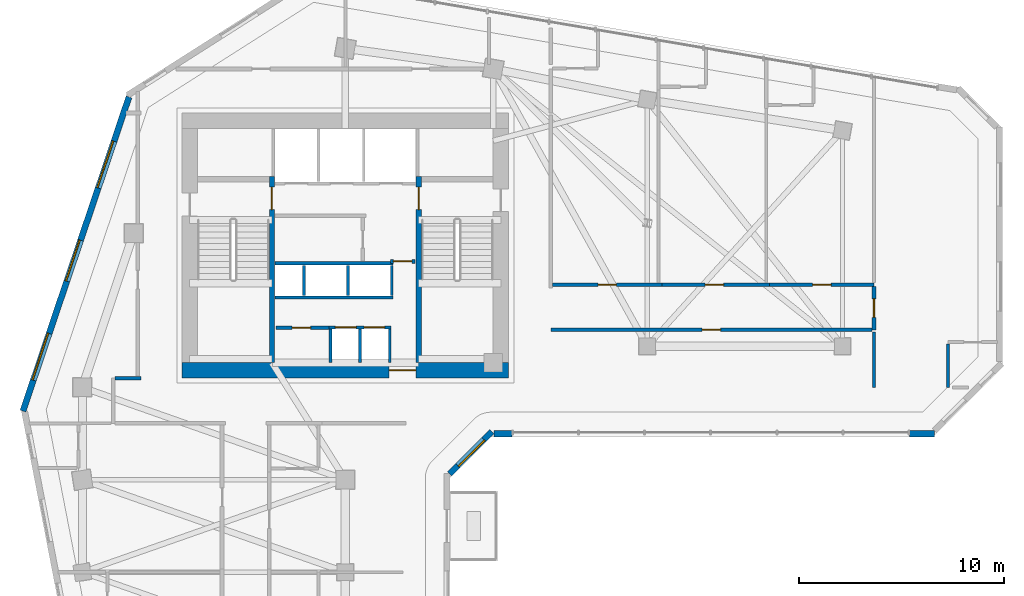
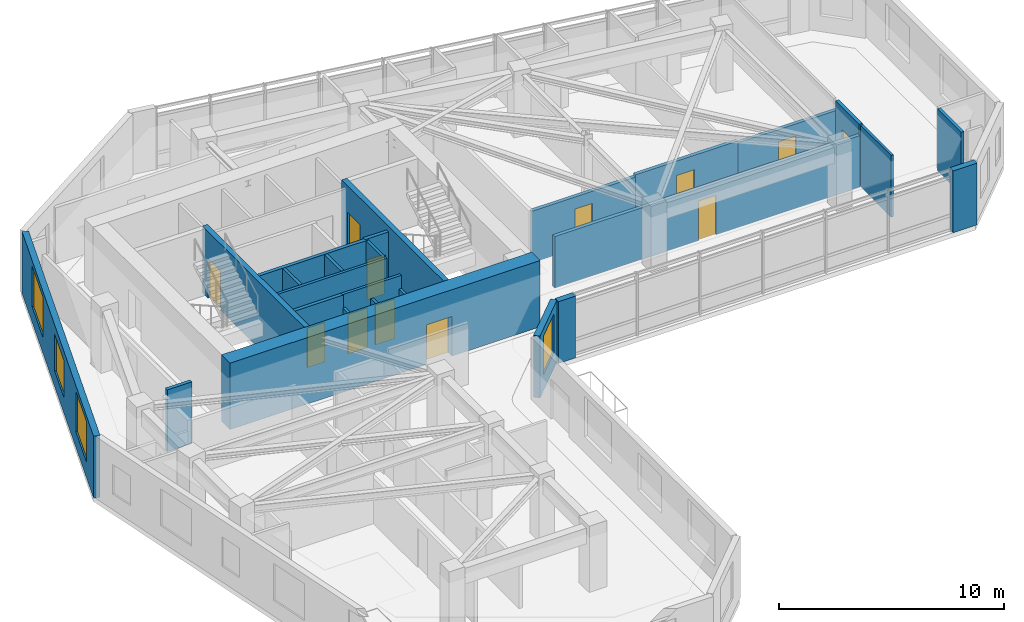
# One storey, part 5 of 10: 26 walls, 12 doors, 4 windows, 16 openings.
"""IFC4 building model written with IfcOpenShell, lengths in metres."""

from ifc_helpers import new_model, si_unit, direction, frame, frame_2d, origin, place, context, subcontext, project, spatial, rectangle, extrude, source, transform, mapped, material, layer, layer_set, type_object, element, fill, save


model = new_model("IFC4")

# Units and contexts
model_context = context("Model", 3, precision=1e-05, world=origin(), true_north=direction((0.0, 1.0)))
body_context = subcontext(model_context, "Body", "Model", "MODEL_VIEW")
ifc_project = project(units=[si_unit("LENGTHUNIT", "METRE"), si_unit("AREAUNIT", "SQUARE_METRE"), si_unit("VOLUMEUNIT", "CUBIC_METRE"), si_unit("PLANEANGLEUNIT", "RADIAN"), si_unit("MASSUNIT", "GRAM", prefix="KILO")], contexts=[model_context])

# Site, building, storey
site_placement = place(None, origin())
site = spatial("IfcSite", under=ifc_project, at=site_placement, CompositionType="ELEMENT")
building_placement = place(site_placement, origin())
building = spatial("IfcBuilding", under=site, at=building_placement, Name="Calvemar Wedge Station Tower", CompositionType="ELEMENT")
storey_placement = place(building_placement, frame((0.0, 0.0, 110.60009765625)))
storey = spatial("IfcBuildingStorey", under=building, at=storey_placement, Name="L26", CompositionType="ELEMENT", Elevation=110.60009765625)

# Wall, opening, door
ifc_material_1 = material(Name="Concrete C50", Category="concrete")
ifc_layer_1 = layer(ifc_material_1, 0.260009765625)
ifc_layer_set_1 = layer_set([ifc_layer_1], Name="Concrete C50")
wall_type_1 = type_object("IfcWallType", Name="SW-CORE-260", PredefinedType="SHEAR", material=ifc_layer_set_1)
wall_1_placement = place(storey_placement, frame((20.22998046875, 34.199951171875, 0.0), z_axis=(0.0, 0.0, 1.0), x_axis=(0.0, 1.0, 0.0)))
wall_1 = element("IfcWall", 1, at=wall_1_placement, inside=storey, type_object=wall_type_1, Name="Storey L26 Core Shear Wall SPINE-W", PredefinedType="SHEAR", context=body_context, shape_type="SweptSolid", body=[
    extrude(rectangle(XDim=9.06005859375, YDim=0.260009765625, at=frame_2d((4.530029296875, 0.0))), origin(), (0.0, 0.0, 1.0), 3.599853515625),
])
shared_shape_1 = source(origin(), body_context, "Body", "SweptSolid", [
    extrude(rectangle(XDim=1.10009765625, YDim=2.14990234375, at=frame_2d((0.550048828125, 1.074951171875))), frame((0.0, 0.14013671875, 0.0), z_axis=(0.0, -1.0, 0.0), x_axis=(1.0, 0.0, 0.0)), (0.0, 0.0, 1.0), 0.280029296875),
])
opening_1_placement = place(wall_1_placement, frame((7.449951171875, 0.0, 0.0)))
opening_1 = element("IfcOpeningElement", 2, at=opening_1_placement, cuts=wall_1, Name="Opening FD-90", PredefinedType="OPENING", context=body_context, shape_type="MappedRepresentation", body=[
    mapped(shared_shape_1, transform((0.0, 0.0, 0.0), scale=1.0)),
])
ifc_material_2 = material(Name="Galvanized fire-rated steel door leaf P-90", Category="steel")
door_type_1 = type_object("IfcDoorType", Name="DR-FD90-1100", OperationType="NOTDEFINED", PredefinedType="DOOR", material=ifc_material_2)
shared_shape_2 = source(origin(), body_context, "Body", "SweptSolid", [
    extrude(rectangle(XDim=1.10009765625, YDim=2.14990234375, at=frame_2d((0.550048828125, 1.074951171875))), frame((0.0, 0.02490234375, 0.0), z_axis=(0.0, -1.0, 0.0), x_axis=(1.0, 0.0, 0.0)), (0.0, 0.0, 1.0), 0.050048828125),
])
door_1_placement = place(opening_1_placement, origin())
door_1 = element("IfcDoor", 3, at=door_1_placement, inside=storey, type_object=door_type_1, Name="L26 FF Lobby to Stair ST-C1 Door", OperationType="SINGLE_SWING_LEFT", OverallHeight=2.14990234375, OverallWidth=1.10009765625, PredefinedType="DOOR", context=body_context, shape_type="MappedRepresentation", body=[
    mapped(shared_shape_2, transform((0.0, 0.0, 0.0), scale=1.0)),
])
fill(opening_1, door_1)

wall_2_placement = place(storey_placement, frame((27.3701171875, 34.199951171875, 0.0), z_axis=(0.0, 0.0, 1.0), x_axis=(0.0, 1.0, 0.0)))
wall_2 = element("IfcWall", 4, at=wall_2_placement, inside=storey, type_object=wall_type_1, Name="Storey L26 Core Shear Wall SPINE-E", PredefinedType="SHEAR", context=body_context, shape_type="SweptSolid", body=[
    extrude(rectangle(XDim=9.06005859375, YDim=0.260009765625, at=frame_2d((4.530029296875, 0.0))), origin(), (0.0, 0.0, 1.0), 3.599853515625),
])
opening_2_placement = place(wall_2_placement, frame((7.449951171875, 0.0, 0.0)))
opening_2 = element("IfcOpeningElement", 5, at=opening_2_placement, cuts=wall_2, Name="Opening FD-90", PredefinedType="OPENING", context=body_context, shape_type="MappedRepresentation", body=[
    mapped(shared_shape_1, transform((0.0, 0.0, 0.0), scale=1.0)),
])
door_2_placement = place(opening_2_placement, origin())
door_2 = element("IfcDoor", 6, at=door_2_placement, inside=storey, type_object=door_type_1, Name="L26 FF Lobby to Stair ST-C2 Door", OperationType="SINGLE_SWING_RIGHT", OverallHeight=2.14990234375, OverallWidth=1.10009765625, PredefinedType="DOOR", context=body_context, shape_type="MappedRepresentation", body=[
    mapped(shared_shape_2, transform((0.0, 0.0, 0.0), scale=1.0)),
])
fill(opening_2, door_2)

ifc_material_3 = material(Name="Concrete C70", Category="concrete")
ifc_layer_2 = layer(ifc_material_3, 0.75)
ifc_layer_set_2 = layer_set([ifc_layer_2], Name="Concrete C70")
wall_type_2 = type_object("IfcWallType", Name="SW-CORE-750", PredefinedType="SHEAR", material=ifc_layer_set_2)
wall_3_placement = place(storey_placement, frame((15.85009765625, 33.824951171875, 0.0), z_axis=(0.0, 0.0, 1.0), x_axis=(1.0, 0.0, 0.0)))
wall_3 = element("IfcWall", 7, at=wall_3_placement, inside=storey, type_object=wall_type_2, Name="Storey L26 Core Shear Wall S", PredefinedType="SHEAR", context=body_context, shape_type="SweptSolid", body=[
    extrude(rectangle(XDim=15.89990234375, YDim=0.75, at=frame_2d((7.949951171875, 0.0))), origin(), (0.0, 0.0, 1.0), 3.599853515625),
])
shared_shape_3 = source(origin(), body_context, "Body", "SweptSolid", [
    extrude(rectangle(XDim=1.300048828125, YDim=2.14990234375, at=frame_2d((0.64990234375, 1.074951171875))), frame((0.0, 0.385009765625, 0.0), z_axis=(0.0, -1.0, 0.0), x_axis=(1.0, 0.0, 0.0)), (0.0, 0.0, 1.0), 0.77001953125),
])
opening_3_placement = place(wall_3_placement, frame((10.080078125, 0.0, 0.0)))
opening_3 = element("IfcOpeningElement", 8, at=opening_3_placement, cuts=wall_3, Name="Opening DD-130", PredefinedType="OPENING", context=body_context, shape_type="MappedRepresentation", body=[
    mapped(shared_shape_3, transform((0.0, 0.0, 0.0), scale=1.0)),
])
ifc_material_4 = material(Name="Double-leaf lift lobby fire door EI 60")
door_type_2 = type_object("IfcDoorType", Name="DR-DBL-1300", OperationType="DOUBLE_DOOR_SINGLE_SWING", PredefinedType="DOOR", material=ifc_material_4)
shared_shape_4 = source(origin(), body_context, "Body", "SweptSolid", [
    extrude(rectangle(XDim=1.300048828125, YDim=2.14990234375, at=frame_2d((0.64990234375, 1.074951171875))), frame((0.0, 0.02490234375, 0.0), z_axis=(0.0, -1.0, 0.0), x_axis=(1.0, 0.0, 0.0)), (0.0, 0.0, 1.0), 0.050048828125),
])
door_3_placement = place(opening_3_placement, origin())
door_3 = element("IfcDoor", 9, at=door_3_placement, inside=storey, type_object=door_type_2, Name="L26 Passenger Lift Lobby Door", OperationType="DOUBLE_DOOR_SINGLE_SWING", OverallHeight=2.14990234375, OverallWidth=1.300048828125, PredefinedType="DOOR", context=body_context, shape_type="MappedRepresentation", body=[
    mapped(shared_shape_4, transform((0.0, 0.0, 0.0), scale=1.0)),
])
fill(opening_3, door_3)

ifc_material_5 = material(Name="Double-stud fire-rated corridor partition")
ifc_layer_3 = layer(ifc_material_5, 0.179931640625)
ifc_layer_set_3 = layer_set([ifc_layer_3], Name="Double-stud fire-rated corridor partition")
wall_type_3 = type_object("IfcWallType", Name="W-CORR-180", PredefinedType="PARTITIONING", material=ifc_layer_set_3)
wall_4_placement = place(storey_placement, frame((27.199951171875, 39.1298828125, 0.0), z_axis=(0.0, 0.0, 1.0), x_axis=(-1.0, 0.0, 0.0)))
wall_4 = element("IfcWall", 10, at=wall_4_placement, inside=storey, type_object=wall_type_3, Name="Storey L26 Interior Partition WL-L26-003", PredefinedType="PARTITIONING", context=body_context, shape_type="SweptSolid", body=[
    extrude(rectangle(XDim=1.2099609375, YDim=0.179931640625, at=frame_2d((0.60498046875, 0.0))), origin(), (0.0, 0.0, 1.0), 3.349853515625),
])
shared_shape_5 = source(origin(), body_context, "Body", "SweptSolid", [
    extrude(rectangle(XDim=0.89990234375, YDim=2.14990234375, at=frame_2d((0.449951171875, 1.074951171875))), frame((0.0, 0.10009765625, 0.0), z_axis=(0.0, -1.0, 0.0), x_axis=(1.0, 0.0, 0.0)), (0.0, 0.0, 1.0), 0.199951171875),
])
opening_4_placement = place(wall_4_placement, frame((0.155029296875, 0.0, 0.0)))
opening_4 = element("IfcOpeningElement", 11, at=opening_4_placement, cuts=wall_4, Name="Opening FD-60", PredefinedType="OPENING", context=body_context, shape_type="MappedRepresentation", body=[
    mapped(shared_shape_5, transform((0.0, 0.0, 0.0), scale=1.0)),
])
ifc_material_6 = material(Name="Fire-rated acoustic timber-core entrance door EI 60", Category="wood")
door_type_3 = type_object("IfcDoorType", Name="DR-FD60-900", OperationType="NOTDEFINED", PredefinedType="DOOR", material=ifc_material_6)
shared_shape_6 = source(origin(), body_context, "Body", "SweptSolid", [
    extrude(rectangle(XDim=0.89990234375, YDim=2.14990234375, at=frame_2d((0.449951171875, 1.074951171875))), frame((0.0, 0.02490234375, 0.0), z_axis=(0.0, -1.0, 0.0), x_axis=(1.0, 0.0, 0.0)), (0.0, 0.0, 1.0), 0.050048828125),
])
door_4_placement = place(opening_4_placement, origin())
door_4 = element("IfcDoor", 12, at=door_4_placement, inside=storey, type_object=door_type_3, Name="L26 Core Service Lobby Door", OperationType="SINGLE_SWING_RIGHT", OverallHeight=2.14990234375, OverallWidth=0.89990234375, PredefinedType="DOOR", context=body_context, shape_type="MappedRepresentation", body=[
    mapped(shared_shape_6, transform((0.0, 0.0, 0.0), scale=1.0)),
])
fill(opening_4, door_4)

wall_5_placement = place(storey_placement, frame((20.419921875, 35.89990234375, 0.0), z_axis=(0.0, 0.0, 1.0), x_axis=(1.0, 0.0, 0.0)))
wall_5 = element("IfcWall", 13, at=wall_5_placement, inside=storey, type_object=wall_type_3, Name="Storey L26 Interior Partition WL-L26-004", PredefinedType="PARTITIONING", context=body_context, shape_type="SweptSolid", body=[
    extrude(rectangle(XDim=2.6201171875, YDim=0.179931640625, at=frame_2d((1.31005859375, 0.0))), origin(), (0.0, 0.0, 1.0), 3.349853515625),
])
opening_5_placement = place(wall_5_placement, frame((0.795654296875, 0.0, 0.0)))
opening_5 = element("IfcOpeningElement", 14, at=opening_5_placement, cuts=wall_5, Name="Opening FD-60", PredefinedType="OPENING", context=body_context, shape_type="MappedRepresentation", body=[
    mapped(shared_shape_5, transform((0.0, 0.0, 0.0), scale=1.0)),
])
door_5_placement = place(opening_5_placement, origin())
door_5 = element("IfcDoor", 15, at=door_5_placement, inside=storey, type_object=door_type_3, Name="L26 Housekeeping Store Door", OperationType="SINGLE_SWING_LEFT", OverallHeight=2.14990234375, OverallWidth=0.89990234375, PredefinedType="DOOR", context=body_context, shape_type="MappedRepresentation", body=[
    mapped(shared_shape_6, transform((0.0, 0.0, 0.0), scale=1.0)),
])
fill(opening_5, door_5)

# Wall
wall_6_placement = place(storey_placement, frame((12.593994140625, 33.449951171875, 0.0), z_axis=(0.0, 0.0, 1.0), x_axis=(1.0, 0.0, 0.0)))
element("IfcWall", 16, at=wall_6_placement, inside=storey, type_object=wall_type_3, Name="Storey L26 Interior Partition WL-L26-006", PredefinedType="PARTITIONING", context=body_context, shape_type="SweptSolid", body=[
    extrude(rectangle(XDim=1.26611328125, YDim=0.179931640625, at=frame_2d((0.633056640625, 0.0))), origin(), (0.0, 0.0, 1.0), 3.349853515625),
])

# Wall, opening, door
wall_7_placement = place(storey_placement, frame((33.89404296875, 38.0, 0.0), z_axis=(0.0, 0.0, 1.0), x_axis=(1.0, 0.0, 0.0)))
wall_7 = element("IfcWall", 17, at=wall_7_placement, inside=storey, type_object=wall_type_3, Name="Storey L26 Interior Partition WL-L26-019", PredefinedType="PARTITIONING", context=body_context, shape_type="SweptSolid", body=[
    extrude(rectangle(XDim=5.31103515625, YDim=0.179931640625, at=frame_2d((2.655517578125, 0.0))), origin(), (0.0, 0.0, 1.0), 2.802978515625),
])
opening_6_placement = place(wall_7_placement, frame((2.20556640625, 0.0, 0.0)))
opening_6 = element("IfcOpeningElement", 18, at=opening_6_placement, cuts=wall_7, Name="Opening FD-60", PredefinedType="OPENING", context=body_context, shape_type="MappedRepresentation", body=[
    mapped(shared_shape_5, transform((0.0, 0.0, 0.0), scale=1.0)),
])
door_6_placement = place(opening_6_placement, origin())
door_6 = element("IfcDoor", 19, at=door_6_placement, inside=storey, type_object=door_type_3, Name="L26 Hotel Guest Room Door", OperationType="SINGLE_SWING_RIGHT", OverallHeight=2.14990234375, OverallWidth=0.89990234375, PredefinedType="DOOR", context=body_context, shape_type="MappedRepresentation", body=[
    mapped(shared_shape_6, transform((0.0, 0.0, 0.0), scale=1.0)),
])
fill(opening_6, door_6)

wall_8_placement = place(storey_placement, frame((39.20703125, 38.0, 0.0), z_axis=(0.0, 0.0, 1.0), x_axis=(1.0, 0.0, 0.0)))
wall_8 = element("IfcWall", 20, at=wall_8_placement, inside=storey, type_object=wall_type_3, Name="Storey L26 Interior Partition WL-L26-020", PredefinedType="PARTITIONING", context=body_context, shape_type="SweptSolid", body=[
    extrude(rectangle(XDim=5.242919921875, YDim=0.179931640625, at=frame_2d((2.62158203125, 0.0))), origin(), (0.0, 0.0, 1.0), 2.921875),
])
opening_7_placement = place(wall_8_placement, frame((2.110595703125, 0.0, 0.0)))
opening_7 = element("IfcOpeningElement", 21, at=opening_7_placement, cuts=wall_8, Name="Opening FD-60", PredefinedType="OPENING", context=body_context, shape_type="MappedRepresentation", body=[
    mapped(shared_shape_5, transform((0.0, 0.0, 0.0), scale=1.0)),
])
door_7_placement = place(opening_7_placement, origin())
door_7 = element("IfcDoor", 22, at=door_7_placement, inside=storey, type_object=door_type_3, Name="L26 Hotel Guest Room Door", OperationType="SINGLE_SWING_RIGHT", OverallHeight=2.14990234375, OverallWidth=0.89990234375, PredefinedType="DOOR", context=body_context, shape_type="MappedRepresentation", body=[
    mapped(shared_shape_6, transform((0.0, 0.0, 0.0), scale=1.0)),
])
fill(opening_7, door_7)

wall_9_placement = place(storey_placement, frame((44.451904296875, 38.0, 0.0), z_axis=(0.0, 0.0, 1.0), x_axis=(1.0, 0.0, 0.0)))
wall_9 = element("IfcWall", 23, at=wall_9_placement, inside=storey, type_object=wall_type_3, Name="Storey L26 Interior Partition WL-L26-021", PredefinedType="PARTITIONING", context=body_context, shape_type="SweptSolid", body=[
    extrude(rectangle(XDim=5.0830078125, YDim=0.179931640625, at=frame_2d((2.54150390625, 0.0))), origin(), (0.0, 0.0, 1.0), 2.802978515625),
])
opening_8_placement = place(wall_9_placement, frame((2.091552734375, 0.0, 0.0)))
opening_8 = element("IfcOpeningElement", 24, at=opening_8_placement, cuts=wall_9, Name="Opening FD-60", PredefinedType="OPENING", context=body_context, shape_type="MappedRepresentation", body=[
    mapped(shared_shape_5, transform((0.0, 0.0, 0.0), scale=1.0)),
])
door_8_placement = place(opening_8_placement, origin())
door_8 = element("IfcDoor", 25, at=door_8_placement, inside=storey, type_object=door_type_3, Name="L26 Hotel Guest Room Door", OperationType="SINGLE_SWING_RIGHT", OverallHeight=2.14990234375, OverallWidth=0.89990234375, PredefinedType="DOOR", context=body_context, shape_type="MappedRepresentation", body=[
    mapped(shared_shape_6, transform((0.0, 0.0, 0.0), scale=1.0)),
])
fill(opening_8, door_8)

wall_10_placement = place(storey_placement, frame((49.534912109375, 37.906005859375, 0.0), z_axis=(0.0, 0.0, 1.0), x_axis=(0.0, -1.0, 0.0)))
wall_10 = element("IfcWall", 26, at=wall_10_placement, inside=storey, type_object=wall_type_3, Name="Storey L26 Interior Partition WL-L26-022", PredefinedType="PARTITIONING", context=body_context, shape_type="SweptSolid", body=[
    extrude(rectangle(XDim=2.10595703125, YDim=0.179931640625, at=frame_2d((1.052978515625, 0.0))), origin(), (0.0, 0.0, 1.0), 3.349853515625),
])
opening_9_placement = place(wall_10_placement, frame((0.60302734375, 0.0, 0.0)))
opening_9 = element("IfcOpeningElement", 27, at=opening_9_placement, cuts=wall_10, Name="Opening FD-60", PredefinedType="OPENING", context=body_context, shape_type="MappedRepresentation", body=[
    mapped(shared_shape_5, transform((0.0, 0.0, 0.0), scale=1.0)),
])
door_9_placement = place(opening_9_placement, origin())
door_9 = element("IfcDoor", 28, at=door_9_placement, inside=storey, type_object=door_type_3, Name="L26 Hotel Suite Door", OperationType="SINGLE_SWING_RIGHT", OverallHeight=2.14990234375, OverallWidth=0.89990234375, PredefinedType="DOOR", context=body_context, shape_type="MappedRepresentation", body=[
    mapped(shared_shape_6, transform((0.0, 0.0, 0.0), scale=1.0)),
])
fill(opening_9, door_9)

wall_11_placement = place(storey_placement, frame((49.44091796875, 35.800048828125, 0.0), z_axis=(0.0, 0.0, 1.0), x_axis=(-1.0, 0.0, 0.0)))
wall_11 = element("IfcWall", 29, at=wall_11_placement, inside=storey, type_object=wall_type_3, Name="Storey L26 Interior Partition WL-L26-023", PredefinedType="PARTITIONING", context=body_context, shape_type="SweptSolid", body=[
    extrude(rectangle(XDim=15.640869140625, YDim=0.179931640625, at=frame_2d((7.8203125, 0.0))), origin(), (0.0, 0.0, 1.0), 2.802978515625),
])
opening_10_placement = place(wall_11_placement, frame((7.37060546875, 0.0, 0.0)))
opening_10 = element("IfcOpeningElement", 30, at=opening_10_placement, cuts=wall_11, Name="Opening D-01", PredefinedType="OPENING", context=body_context, shape_type="MappedRepresentation", body=[
    mapped(shared_shape_5, transform((0.0, 0.0, 0.0), scale=1.0)),
])
ifc_material_7 = material(Name="Architectural hardwood acoustic swing door", Category="wood")
door_type_4 = type_object("IfcDoorType", Name="DR-INT-900", OperationType="NOTDEFINED", PredefinedType="DOOR", material=ifc_material_7)
shared_shape_7 = source(origin(), body_context, "Body", "SweptSolid", [
    extrude(rectangle(XDim=0.89990234375, YDim=2.14990234375, at=frame_2d((0.449951171875, 1.074951171875))), frame((0.0, 0.02490234375, 0.0), z_axis=(0.0, -1.0, 0.0), x_axis=(1.0, 0.0, 0.0)), (0.0, 0.0, 1.0), 0.050048828125),
])
door_10_placement = place(opening_10_placement, origin())
door_10 = element("IfcDoor", 31, at=door_10_placement, inside=storey, type_object=door_type_4, Name="L26 Club Lounge Door", OperationType="SINGLE_SWING_LEFT", OverallHeight=2.14990234375, OverallWidth=0.89990234375, PredefinedType="DOOR", context=body_context, shape_type="MappedRepresentation", body=[
    mapped(shared_shape_7, transform((0.0, 0.0, 0.0), scale=1.0)),
])
fill(opening_10, door_10)

# Wall, opening, window
ifc_material_8 = material(Name="Precast concrete C45", Category="concrete")
ifc_layer_4 = layer(ifc_material_8, 0.300048828125)
ifc_layer_set_4 = layer_set([ifc_layer_4], Name="Precast concrete C45")
wall_type_4 = type_object("IfcWallType", Name="W-EXT-GFRC-300", PredefinedType="SOLIDWALL", material=ifc_layer_set_4)
wall_12_placement = place(storey_placement, frame((28.884033203125, 28.7919921875, 0.0), z_axis=(0.0, 0.0, 1.0), x_axis=(0.707064797706, 0.707148762175, 0.0)))
wall_12 = element("IfcWall", 32, at=wall_12_placement, inside=storey, type_object=wall_type_4, Name="Storey L26 Bronze GFRC Exterior Wall 5", PredefinedType="SOLIDWALL", context=body_context, shape_type="SweptSolid", body=[
    extrude(rectangle(XDim=2.90771484375, YDim=0.300048828125, at=frame_2d((1.453857421875, 0.0))), origin(), (0.0, 0.0, 1.0), 3.349853515625),
])
shared_shape_8 = source(origin(), body_context, "Body", "SweptSolid", [
    extrude(rectangle(XDim=1.800048828125, YDim=2.10009765625, at=frame_2d((0.89990234375, 1.050048828125))), frame((0.0, 0.16015625, 0.0), z_axis=(0.0, -1.0, 0.0), x_axis=(1.0, 0.0, 0.0)), (0.0, 0.0, 1.0), 0.320068359375),
])
opening_11_placement = place(wall_12_placement, frame((0.553955078125, 0.0, 0.85009765625)))
opening_11 = element("IfcOpeningElement", 33, at=opening_11_placement, cuts=wall_12, Name="Opening W2", PredefinedType="OPENING", context=body_context, shape_type="MappedRepresentation", body=[
    mapped(shared_shape_8, transform((0.0, 0.0, 0.0), scale=1.0)),
])
ifc_material_9 = material(Name="Low-E laminated insulated glass", Category="glass")
window_type_1 = type_object("IfcWindowType", Name="WIN-EXT-2", PartitioningType="SINGLE_PANEL", PredefinedType="WINDOW", material=ifc_material_9)
shared_shape_9 = source(origin(), body_context, "Body", "SweptSolid", [
    extrude(rectangle(XDim=1.800048828125, YDim=2.10009765625, at=frame_2d((0.89990234375, 1.050048828125))), frame((0.0, -0.014892578125, 0.0), z_axis=(0.0, -1.0, 0.0), x_axis=(1.0, 0.0, 0.0)), (0.0, 0.0, 1.0), 0.06005859375),
])
window_1_placement = place(opening_11_placement, origin())
window_1 = element("IfcWindow", 34, at=window_1_placement, inside=storey, type_object=window_type_1, Name="Storey L26 Recessed Window 5.1", OverallHeight=2.10009765625, OverallWidth=1.800048828125, PartitioningType="SINGLE_PANEL", PredefinedType="WINDOW", context=body_context, shape_type="MappedRepresentation", body=[
    mapped(shared_shape_9, transform((0.0, 0.0, 0.0), scale=1.0)),
])
fill(opening_11, window_1)

# Walls
wall_13_placement = place(storey_placement, frame((31.029052734375, 30.741943359375, 0.0), z_axis=(0.0, 0.0, 1.0), x_axis=(1.0, 0.0, 0.0)))
element("IfcWall", 35, at=wall_13_placement, inside=storey, type_object=wall_type_4, Name="Storey L26 Bronze GFRC Corner Pier 6A", PredefinedType="SOLIDWALL", context=body_context, shape_type="SweptSolid", body=[
    extrude(rectangle(XDim=0.88232421875, YDim=0.300048828125, at=frame_2d((0.441162109375, 0.0))), origin(), (0.0, 0.0, 1.0), 3.349853515625),
])
wall_14_placement = place(storey_placement, frame((51.260498046875, 30.741943359375, 0.0), z_axis=(0.0, 0.0, 1.0), x_axis=(1.0, 0.0, 0.0)))
element("IfcWall", 36, at=wall_14_placement, inside=storey, type_object=wall_type_4, Name="Storey L26 Bronze GFRC Corner Pier 6B", PredefinedType="SOLIDWALL", context=body_context, shape_type="SweptSolid", body=[
    extrude(rectangle(XDim=1.227294921875, YDim=0.300048828125, at=frame_2d((0.61376953125, 0.0))), origin(), (0.0, 0.0, 1.0), 3.349853515625),
])

# Wall, openings, windows
wall_15_placement = place(storey_placement, frame((13.2685546875, 47.1337890625, 0.0), z_axis=(0.0, 0.0, 1.0), x_axis=(-0.319929596295, -0.947441319246, 0.0)))
wall_15 = element("IfcWall", 37, at=wall_15_placement, inside=storey, type_object=wall_type_4, Name="Storey L26 Bronze GFRC Exterior Wall 12", PredefinedType="SOLIDWALL", context=body_context, shape_type="SweptSolid", body=[
    extrude(rectangle(XDim=16.13427734375, YDim=0.300048828125, at=frame_2d((8.067138671875, 0.0))), origin(), (0.0, 0.0, 1.0), 3.349853515625),
])
shared_shape_10 = source(origin(), body_context, "Body", "SweptSolid", [
    extrude(rectangle(XDim=2.39990234375, YDim=2.199951171875, at=frame_2d((1.199951171875, 1.10009765625))), frame((0.0, 0.16015625, 0.0), z_axis=(0.0, -1.0, 0.0), x_axis=(1.0, 0.0, 0.0)), (0.0, 0.0, 1.0), 0.320068359375),
])
opening_12_placement = place(wall_15_placement, frame((2.27587890625, 0.0, 0.85009765625)))
opening_12 = element("IfcOpeningElement", 38, at=opening_12_placement, cuts=wall_15, Name="Opening W1", PredefinedType="OPENING", context=body_context, shape_type="MappedRepresentation", body=[
    mapped(shared_shape_10, transform((0.0, 0.0, 0.0), scale=1.0)),
])
shared_shape_11 = source(origin(), body_context, "Body", "SweptSolid", [
    extrude(rectangle(XDim=2.10009765625, YDim=2.0, at=frame_2d((1.050048828125, 1.0))), frame((0.0, 0.16015625, 0.0), z_axis=(0.0, -1.0, 0.0), x_axis=(1.0, 0.0, 0.0)), (0.0, 0.0, 1.0), 0.320068359375),
])
opening_13_placement = place(wall_15_placement, frame((7.361083984375, 0.0, 0.85009765625)))
opening_13 = element("IfcOpeningElement", 39, at=opening_13_placement, cuts=wall_15, Name="Opening W4", PredefinedType="OPENING", context=body_context, shape_type="MappedRepresentation", body=[
    mapped(shared_shape_11, transform((0.0, 0.0, 0.0), scale=1.0)),
])
opening_14_placement = place(wall_15_placement, frame((12.14697265625, 0.0, 0.85009765625)))
opening_14 = element("IfcOpeningElement", 40, at=opening_14_placement, cuts=wall_15, Name="Opening W1", PredefinedType="OPENING", context=body_context, shape_type="MappedRepresentation", body=[
    mapped(shared_shape_10, transform((0.0, 0.0, 0.0), scale=1.0)),
])
window_type_2 = type_object("IfcWindowType", Name="WIN-EXT-4", PartitioningType="SINGLE_PANEL", PredefinedType="WINDOW", material=ifc_material_9)
shared_shape_12 = source(origin(), body_context, "Body", "SweptSolid", [
    extrude(rectangle(XDim=2.10009765625, YDim=2.0, at=frame_2d((1.050048828125, 1.0))), frame((0.0, -0.014892578125, 0.0), z_axis=(0.0, -1.0, 0.0), x_axis=(1.0, 0.0, 0.0)), (0.0, 0.0, 1.0), 0.06005859375),
])
window_2_placement = place(opening_13_placement, origin())
window_2 = element("IfcWindow", 41, at=window_2_placement, inside=storey, type_object=window_type_2, Name="Storey L26 Recessed Window 12.2", OverallHeight=2.0, OverallWidth=2.10009765625, PartitioningType="SINGLE_PANEL", PredefinedType="WINDOW", context=body_context, shape_type="MappedRepresentation", body=[
    mapped(shared_shape_12, transform((0.0, 0.0, 0.0), scale=1.0)),
])
fill(opening_13, window_2)
window_type_3 = type_object("IfcWindowType", Name="WIN-EXT-1", PartitioningType="SINGLE_PANEL", PredefinedType="WINDOW", material=ifc_material_9)
shared_shape_13 = source(origin(), body_context, "Body", "SweptSolid", [
    extrude(rectangle(XDim=2.39990234375, YDim=2.199951171875, at=frame_2d((1.199951171875, 1.10009765625))), frame((0.0, -0.014892578125, 0.0), z_axis=(0.0, -1.0, 0.0), x_axis=(1.0, 0.0, 0.0)), (0.0, 0.0, 1.0), 0.06005859375),
])
window_3_placement = place(opening_12_placement, origin())
window_3 = element("IfcWindow", 42, at=window_3_placement, inside=storey, type_object=window_type_3, Name="Storey L26 Recessed Window 12.1", OverallHeight=2.199951171875, OverallWidth=2.39990234375, PartitioningType="SINGLE_PANEL", PredefinedType="WINDOW", context=body_context, shape_type="MappedRepresentation", body=[
    mapped(shared_shape_13, transform((0.0, 0.0, 0.0), scale=1.0)),
])
fill(opening_12, window_3)
window_4_placement = place(opening_14_placement, origin())
window_4 = element("IfcWindow", 43, at=window_4_placement, inside=storey, type_object=window_type_3, Name="Storey L26 Recessed Window 12.3", OverallHeight=2.199951171875, OverallWidth=2.39990234375, PartitioningType="SINGLE_PANEL", PredefinedType="WINDOW", context=body_context, shape_type="MappedRepresentation", body=[
    mapped(shared_shape_13, transform((0.0, 0.0, 0.0), scale=1.0)),
])
fill(opening_14, window_4)

# Wall, openings, doors
ifc_material_10 = material(Name="Reinforced concrete blockwork lift shaft wall", Category="masonry")
ifc_layer_5 = layer(ifc_material_10, 0.139892578125)
ifc_layer_set_5 = layer_set([ifc_layer_5], Name="Reinforced concrete blockwork lift shaft wall")
wall_type_5 = type_object("IfcWallType", Name="W-LIFT-160", PredefinedType="SOLIDWALL", material=ifc_layer_set_5)
wall_16_placement = place(storey_placement, frame((23.0, 35.919921875, 0.0), z_axis=(0.0, 0.0, 1.0), x_axis=(1.0, 0.0, 0.0)))
wall_16 = element("IfcWall", 44, at=wall_16_placement, inside=storey, type_object=wall_type_5, Name="Storey L26 South Passenger Lift Bank Front Wall", PredefinedType="SOLIDWALL", context=body_context, shape_type="SweptSolid", body=[
    extrude(rectangle(XDim=3.030029296875, YDim=0.139892578125, at=frame_2d((1.51513671875, 0.0))), origin(), (0.0, 0.0, 1.0), 3.349853515625),
])
shared_shape_14 = source(origin(), body_context, "Body", "SweptSolid", [
    extrude(rectangle(XDim=1.0, YDim=2.14990234375, at=frame_2d((0.5, 1.074951171875))), frame((0.0, 0.080078125, 0.0), z_axis=(0.0, -1.0, 0.0), x_axis=(1.0, 0.0, 0.0)), (0.0, 0.0, 1.0), 0.159912109375),
])
opening_15_placement = place(wall_16_placement, frame((0.320068359375, 0.0, 0.0)))
opening_15 = element("IfcOpeningElement", 45, at=opening_15_placement, cuts=wall_16, Name="Opening LD-PAX", PredefinedType="OPENING", context=body_context, shape_type="MappedRepresentation", body=[
    mapped(shared_shape_14, transform((0.0, 0.0, 0.0), scale=1.0)),
])
opening_16_placement = place(wall_16_placement, frame((1.7099609375, 0.0, 0.0)))
opening_16 = element("IfcOpeningElement", 46, at=opening_16_placement, cuts=wall_16, Name="Opening LD-PAX", PredefinedType="OPENING", context=body_context, shape_type="MappedRepresentation", body=[
    mapped(shared_shape_14, transform((0.0, 0.0, 0.0), scale=1.0)),
])
ifc_material_11 = material(Name="Anodised bronze passenger lift sliding landing door")
door_type_5 = type_object("IfcDoorType", Name="DR-LD-PAX-1000", OperationType="SLIDING_TO_LEFT", PredefinedType="DOOR", material=ifc_material_11)
shared_shape_15 = source(origin(), body_context, "Body", "SweptSolid", [
    extrude(rectangle(XDim=1.0, YDim=2.14990234375, at=frame_2d((0.5, 1.074951171875))), frame((0.0, 0.02490234375, 0.0), z_axis=(0.0, -1.0, 0.0), x_axis=(1.0, 0.0, 0.0)), (0.0, 0.0, 1.0), 0.050048828125),
])
door_11_placement = place(opening_15_placement, origin())
door_11 = element("IfcDoor", 47, at=door_11_placement, inside=storey, type_object=door_type_5, Name="L26 Lift HL-01 Sliding Landing Door", OperationType="SLIDING_TO_LEFT", OverallHeight=2.14990234375, OverallWidth=1.0, PredefinedType="DOOR", context=body_context, shape_type="MappedRepresentation", body=[
    mapped(shared_shape_15, transform((0.0, 0.0, 0.0), scale=1.0)),
])
fill(opening_15, door_11)
door_12_placement = place(opening_16_placement, origin())
door_12 = element("IfcDoor", 48, at=door_12_placement, inside=storey, type_object=door_type_5, Name="L26 Lift HL-02 Sliding Landing Door", OperationType="SLIDING_TO_RIGHT", OverallHeight=2.14990234375, OverallWidth=1.0, PredefinedType="DOOR", context=body_context, shape_type="MappedRepresentation", body=[
    mapped(shared_shape_15, transform((0.0, 0.0, 0.0), scale=1.0)),
])
fill(opening_16, door_12)

# Walls
for number, where, z_axis, x_axis, name in (
    (49, (25.9599609375, 34.219970703125, 0.0), (0.0, 0.0, 1.0), (0.0, 1.0, 0.0), "Storey L26 South Passenger Lift Shaft Wall E"),
    (50, (23.070068359375, 34.219970703125, 0.0), (0.0, 0.0, 1.0), (0.0, 1.0, 0.0), "Storey L26 South Passenger Lift Shaft Wall W"),
    (51, (24.514892578125, 34.219970703125, 0.0), (0.0, 0.0, 1.0), (0.0, 1.0, 0.0), "Storey L26 South Passenger Lift Shaft Wall D1"),
):
    element("IfcWall", number, at=place(storey_placement, frame(where, z_axis=z_axis, x_axis=x_axis)), inside=storey, type_object=wall_type_5, Name=name, PredefinedType="SOLIDWALL", context=body_context, shape_type="SweptSolid", body=[
        extrude(rectangle(XDim=1.6201171875, YDim=0.139892578125, at=frame_2d((0.81005859375, 0.0))), origin(), (0.0, 0.0, 1.0), 2.641845703125),
    ])
wall_17_placement = place(storey_placement, frame((20.3798828125, 37.3798828125, 0.0), z_axis=(0.0, 0.0, 1.0), x_axis=(1.0, 0.0, 0.0)))
element("IfcWall", 52, at=wall_17_placement, inside=storey, type_object=wall_type_5, Name="Storey L26 Upper Passenger Lift Bank Front Wall", PredefinedType="SOLIDWALL", context=body_context, shape_type="SweptSolid", body=[
    extrude(rectangle(XDim=5.75, YDim=0.139892578125, at=frame_2d((2.875, 0.0))), origin(), (0.0, 0.0, 1.0), 3.349853515625),
])
for number, where, z_axis, x_axis, name in (
    (53, (26.06005859375, 37.4599609375, 0.0), (0.0, 0.0, 1.0), (0.0, 1.0, 0.0), "Storey L26 Upper Passenger Lift Shaft Wall E"),
    (54, (21.794921875, 37.4599609375, 0.0), (0.0, 0.0, 1.0), (0.0, 1.0, 0.0), "Storey L26 Upper Passenger Lift Shaft Wall D1"),
    (55, (23.93505859375, 37.4599609375, 0.0), (0.0, 0.0, 1.0), (0.0, 1.0, 0.0), "Storey L26 Upper Passenger Lift Shaft Wall D2"),
):
    element("IfcWall", number, at=place(storey_placement, frame(where, z_axis=z_axis, x_axis=x_axis)), inside=storey, type_object=wall_type_5, Name=name, PredefinedType="SOLIDWALL", context=body_context, shape_type="SweptSolid", body=[
        extrude(rectangle(XDim=1.47998046875, YDim=0.139892578125, at=frame_2d((0.739990234375, 0.0))), origin(), (0.0, 0.0, 1.0), 3.349853515625),
    ])
ifc_material_12 = material(Name="Insulated acoustic gypsum stud partition")
ifc_layer_6 = layer(ifc_material_12, 0.125)
ifc_layer_set_6 = layer_set([ifc_layer_6], Name="Insulated acoustic gypsum stud partition")
wall_type_6 = type_object("IfcWallType", Name="W-PART-125", PredefinedType="PARTITIONING", material=ifc_layer_set_6)
wall_18_placement = place(storey_placement, frame((49.534912109375, 33.0, 0.0), z_axis=(0.0, 0.0, 1.0), x_axis=(0.0, 1.0, 0.0)))
element("IfcWall", 56, at=wall_18_placement, inside=storey, type_object=wall_type_6, Name="Storey L26 Interior Partition WL-L26-037", PredefinedType="PARTITIONING", context=body_context, shape_type="SweptSolid", body=[
    extrude(rectangle(XDim=2.7060546875, YDim=0.125, at=frame_2d((1.35302734375, 0.0))), origin(), (0.0, 0.0, 1.0), 3.349853515625),
])
ifc_material_13 = material(Name="Concrete blockwork and fireboard shaft wall", Category="masonry")
ifc_layer_7 = layer(ifc_material_13, 0.199951171875)
ifc_layer_set_7 = layer_set([ifc_layer_7], Name="Concrete blockwork and fireboard shaft wall")
wall_type_7 = type_object("IfcWallType", Name="W-SHAFT-200", PredefinedType="SOLIDWALL", material=ifc_layer_set_7)
wall_19_placement = place(storey_placement, frame((20.3798828125, 39.0400390625, 0.0), z_axis=(0.0, 0.0, 1.0), x_axis=(1.0, 0.0, 0.0)))
element("IfcWall", 57, at=wall_19_placement, inside=storey, type_object=wall_type_7, Name="Storey L26 Upper Passenger Lift Bank Rear Shaft Wall", PredefinedType="SOLIDWALL", context=body_context, shape_type="SweptSolid", body=[
    extrude(rectangle(XDim=5.75, YDim=0.179931640625, at=frame_2d((2.875, 0.0))), origin(), (0.0, 0.0, 1.0), 3.349853515625),
])
ifc_material_14 = material(Name="Moisture-resistant acoustic bathroom partition")
ifc_layer_8 = layer(ifc_material_14, 0.14990234375)
ifc_layer_set_8 = layer_set([ifc_layer_8], Name="Moisture-resistant acoustic bathroom partition")
wall_type_8 = type_object("IfcWallType", Name="W-WET-150", PredefinedType="PARTITIONING", material=ifc_layer_set_8)
wall_20_placement = place(storey_placement, frame((53.135009765625, 33.0, 0.0), z_axis=(0.0, 0.0, 1.0), x_axis=(0.0, 1.0, 0.0)))
element("IfcWall", 58, at=wall_20_placement, inside=storey, type_object=wall_type_8, Name="Storey L26 Interior Partition WL-L26-036", PredefinedType="PARTITIONING", context=body_context, shape_type="SweptSolid", body=[
    extrude(rectangle(XDim=2.12109375, YDim=0.14990234375, at=frame_2d((1.060546875, 0.0))), origin(), (0.0, 0.0, 1.0), 3.349853515625),
])

save(model, "model.ifc")
